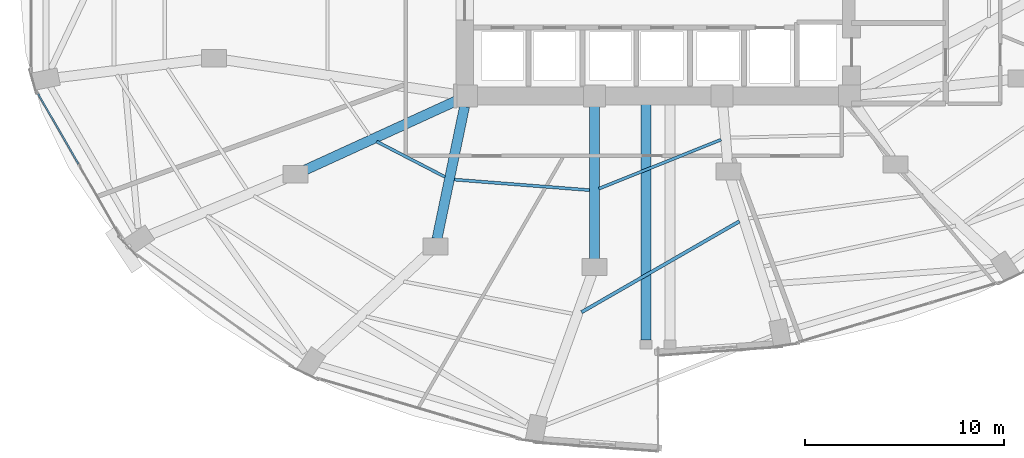
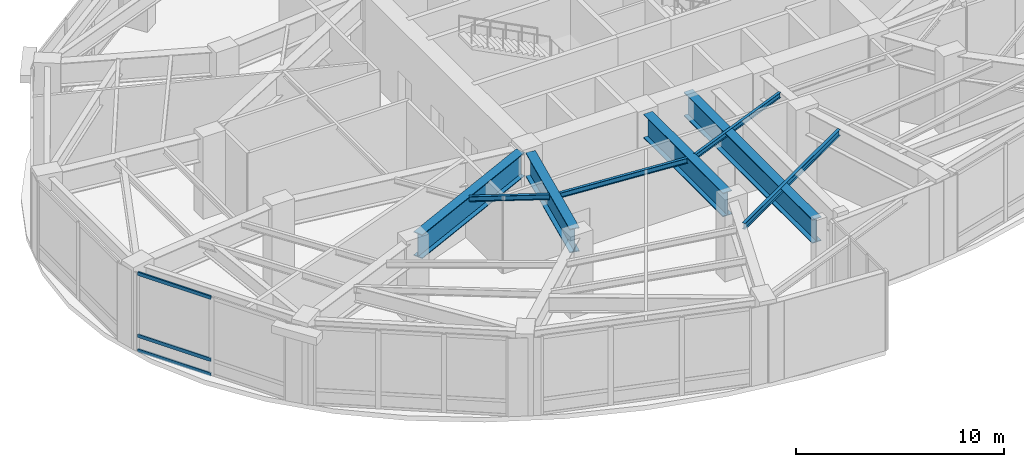
# One storey, part 5 of 24: 8 beams, 3 members, 1 element without a shape of its own.
"""IFC4 building model written with IfcOpenShell, lengths in metres."""

import ifcopenshell
import ifcopenshell.guid

model = None  # the IFC model being written
_history = None  # IfcOwnerHistory: only IFC2X3 demands one
_inside = {}  # id of a spatial element -> (the spatial element, [elements in it])
_under = {}  # id of a project, library or spatial element -> (it, [spatial elements below it])
_declared = {}  # id of a project -> (the project, [libraries it declares])
_typed = {}  # id of a type object -> (the type object, [elements of that type])
_made_of = {}  # id of a material, layer set ... -> (it, [elements and type objects made of it])


def new_model(schema):
    """Start an empty IFC model of exactly this schema.

    Asked for "IFC4X3", IfcOpenShell would pick the latest addendum, in which some entities
    have other attributes; the version numbers below select the first issue.
    IFC2X3 requires an IfcOwnerHistory on every rooted entity: one is made here for all.
    """
    global model, _history
    if schema == "IFC4X3":
        model = ifcopenshell.file(schema_version=(4, 3, 0, 0))
    else:
        model = ifcopenshell.file(schema=schema)
    _inside.clear()
    _under.clear()
    _declared.clear()
    _typed.clear()
    _made_of.clear()
    _history = None
    if model.schema == "IFC2X3":
        org = make("IfcOrganization", Name="unknown")
        user = make(
            "IfcPersonAndOrganization",
            ThePerson=make("IfcPerson", FamilyName="unknown"),
            TheOrganization=org,
        )
        app = make(
            "IfcApplication",
            ApplicationDeveloper=org,
            Version="unknown",
            ApplicationFullName="unknown",
            ApplicationIdentifier="unknown",
        )
        _history = make(
            "IfcOwnerHistory",
            OwningUser=user,
            OwningApplication=app,
            ChangeAction="ADDED",
            CreationDate=0,
        )
    return model


def make(cls, **values):
    """One entity of the class cls with the attributes given. An attribute that is None is left unset."""
    return model.create_entity(
        cls, **{name: value for name, value in values.items() if value is not None}
    )


def rooted(cls, **values):
    """An entity with a GlobalId (a new one), such as an element, a storey or a relation."""
    return make(cls, GlobalId=ifcopenshell.guid.new(), OwnerHistory=_history, **values)


def si_unit(unit_type, name, prefix=None):
    """IfcSIUnit, for example si_unit("LENGTHUNIT", "METRE", prefix="MILLI")."""
    return make("IfcSIUnit", UnitType=unit_type, Prefix=prefix, Name=name)


def assignment(units):
    """IfcUnitAssignment: the units of a project."""
    return None if units is None else make("IfcUnitAssignment", Units=units)


def point(xyz):
    """IfcCartesianPoint."""
    return None if xyz is None else make("IfcCartesianPoint", Coordinates=xyz)


def direction(xyz):
    """IfcDirection."""
    return None if xyz is None else make("IfcDirection", DirectionRatios=xyz)


def frame(location, z_axis=None, x_axis=None):
    """IfcAxis2Placement3D, a coordinate frame: its origin and axes. An axis left out is left unset."""
    return make(
        "IfcAxis2Placement3D",
        Location=point(location),
        Axis=direction(z_axis),
        RefDirection=direction(x_axis),
    )


def frame_2d(location, x_axis=None):
    """IfcAxis2Placement2D, a coordinate frame in the plane: its origin and x axis."""
    return make(
        "IfcAxis2Placement2D", Location=point(location), RefDirection=direction(x_axis)
    )


def origin():
    """The frame at (0, 0, 0) with its axes left unset."""
    return frame((0.0, 0.0, 0.0))


def origin_2d():
    """The frame at (0, 0) in the plane with its x axis left unset."""
    return frame_2d((0.0, 0.0))


def place(relative_to, where):
    """IfcLocalPlacement: puts the frame where relative to a parent placement (None: the world)."""
    return make(
        "IfcLocalPlacement", PlacementRelTo=relative_to, RelativePlacement=where
    )


def context(
    kind, dimensions, precision=None, world=None, true_north=None, identifier=None
):
    """IfcGeometricRepresentationContext, for example the 3D "Model" context."""
    return make(
        "IfcGeometricRepresentationContext",
        ContextIdentifier=identifier,
        ContextType=kind,
        CoordinateSpaceDimension=dimensions,
        Precision=precision,
        WorldCoordinateSystem=world,
        TrueNorth=true_north,
    )


def subcontext(parent, identifier, kind, view, scale=None):
    """IfcGeometricRepresentationSubContext, for example "Body" below "Model"."""
    return make(
        "IfcGeometricRepresentationSubContext",
        ContextIdentifier=identifier,
        ContextType=kind,
        ParentContext=parent,
        TargetScale=scale,
        TargetView=view,
    )


def project(units=None, contexts=None):
    """IfcProject with its units and contexts."""
    return rooted(
        "IfcProject",
        Name="project",
        RepresentationContexts=contexts,
        UnitsInContext=assignment(units),
    )


def spatial(cls, under=None, at=None, **own):
    """A site, building, storey or space (cls), placed at a placement, below another one or the project."""
    s = rooted(cls, ObjectPlacement=at, **own)
    if under is not None:
        _under.setdefault(under.id(), (under, []))[1].append(s)
    return s


def profile(cls, at=None, kind="AREA", **sizes):
    """A parametric profile (cls). Its sizes go by their IFC names, for example OverallWidth=200.0."""
    return make(cls, ProfileType=kind, Position=at, **sizes)


def hollow_rectangle(**sizes):
    """IfcRectangleHollowProfileDef."""
    return profile("IfcRectangleHollowProfileDef", **sizes)


def i_section(**sizes):
    """IfcIShapeProfileDef."""
    return profile("IfcIShapeProfileDef", **sizes)


def extrude(swept, where, along, depth):
    """IfcExtrudedAreaSolid: the profile swept, set in the frame where, extruded along a direction by depth."""
    return make(
        "IfcExtrudedAreaSolid",
        SweptArea=swept,
        Position=where,
        ExtrudedDirection=direction(along),
        Depth=depth,
    )


def shape(context_of_items, identifier, shape_type, items):
    """IfcShapeRepresentation: the items that make up one representation, for example the "Body"."""
    return make(
        "IfcShapeRepresentation",
        ContextOfItems=context_of_items,
        RepresentationIdentifier=identifier,
        RepresentationType=shape_type,
        Items=items,
    )


def material(Name=None, Category=None):
    """IfcMaterial."""
    return make("IfcMaterial", Name=Name, Category=Category)


def layer(
    of_material, thickness, ventilated=None, Name=None, Category=None, Priority=None
):
    """IfcMaterialLayer: one layer of a wall or slab, of a material (None: an air gap)."""
    return make(
        "IfcMaterialLayer",
        Material=of_material,
        LayerThickness=thickness,
        IsVentilated=ventilated,
        Name=Name,
        Category=Category,
        Priority=Priority,
    )


def layer_set(layers, Name=None):
    """IfcMaterialLayerSet."""
    return make("IfcMaterialLayerSet", MaterialLayers=layers, LayerSetName=Name)


def material_profile(
    of_material, cross_section, Name=None, Category=None, Priority=None
):
    """IfcMaterialProfile: a cross section and its material."""
    return make(
        "IfcMaterialProfile",
        Name=Name,
        Material=of_material,
        Profile=cross_section,
        Priority=Priority,
        Category=Category,
    )


def profile_set(profiles, Name=None, composite=None):
    """IfcMaterialProfileSet."""
    return make(
        "IfcMaterialProfileSet",
        Name=Name,
        MaterialProfiles=profiles,
        CompositeProfile=composite,
    )


def made_of(thing, what):
    """Note that an element or type object is made of a material, layer set ...; save() writes the relation."""
    if what is not None:
        _made_of.setdefault(what.id(), (what, []))[1].append(thing)
    return thing


def type_object(cls, material=None, **own):
    """A type object (cls), such as IfcWallType, which elements share."""
    return made_of(rooted(cls, **own), material)


def element(
    cls,
    number,
    at=None,
    inside=None,
    cuts=None,
    type_object=None,
    material=None,
    context=None,
    identifier="Body",
    shape_type=None,
    held_by="IfcProductDefinitionShape",
    body=None,
    shapes=None,
    **own,
):
    """One element of the class cls, such as IfcWall. Its Tag is "e" and its number.

    at: its placement. inside: the storey or other place that contains it. cuts: it is an
    opening in that element (IfcRelVoidsElement). A single representation is given by context,
    identifier, shape_type and body (its items); several are given by shapes. held_by: the class
    of the entity that holds the representations. save() writes the other relations.
    """
    e = rooted(cls, Tag="e%d" % number, ObjectPlacement=at, **own)
    if body is not None:
        shapes = [shape(context, identifier, shape_type, body)]
    if shapes is not None:
        e.Representation = make(held_by, Representations=shapes)
    if inside is not None:
        _inside.setdefault(inside.id(), (inside, []))[1].append(e)
    if cuts is not None:
        rooted(
            "IfcRelVoidsElement", RelatingBuildingElement=cuts, RelatedOpeningElement=e
        )
    if type_object is not None:
        _typed.setdefault(type_object.id(), (type_object, []))[1].append(e)
    return made_of(e, material)


def aggregate(whole, parts):
    """IfcRelAggregates: a whole, such as a stair, and the parts it consists of."""
    return rooted("IfcRelAggregates", RelatingObject=whole, RelatedObjects=parts)


def save(model, path):
    """Write the relations noted so far, then the file.

    IfcRelAggregates (storeys below a building ...), IfcRelContainedInSpatialStructure (elements
    in a storey), IfcRelDefinesByType, IfcRelAssociatesMaterial and IfcRelDeclares: one each for
    every whole, place, type object, material and project.
    """
    for whole, parts in _under.values():
        aggregate(whole, parts)
    for where, things in _inside.values():
        rooted(
            "IfcRelContainedInSpatialStructure",
            RelatedElements=things,
            RelatingStructure=where,
        )
    for kind, things in _typed.values():
        rooted("IfcRelDefinesByType", RelatedObjects=things, RelatingType=kind)
    for what, things in _made_of.values():
        rooted("IfcRelAssociatesMaterial", RelatedObjects=things, RelatingMaterial=what)
    for by, libraries in _declared.values():
        rooted("IfcRelDeclares", RelatingContext=by, RelatedDefinitions=libraries)
    model.write(path)


model = new_model("IFC4")

# Units and contexts
model_context = context("Model", 3, precision=1e-05, world=origin(), true_north=direction((0.0, 1.0)))
body_context = subcontext(model_context, "Body", "Model", "MODEL_VIEW")
ifc_project = project(units=[si_unit("LENGTHUNIT", "METRE"), si_unit("AREAUNIT", "SQUARE_METRE"), si_unit("VOLUMEUNIT", "CUBIC_METRE"), si_unit("PLANEANGLEUNIT", "RADIAN"), si_unit("MASSUNIT", "GRAM", prefix="KILO")], contexts=[model_context])

# Site, building, storey
site_placement = place(None, origin())
site = spatial("IfcSite", under=ifc_project, at=site_placement, CompositionType="ELEMENT")
building_placement = place(site_placement, origin())
building = spatial("IfcBuilding", under=site, at=building_placement, Name="Lazwardi Medical Tower", CompositionType="ELEMENT")
storey_placement = place(building_placement, frame((0.0, 0.0, 20.39990234375)))
storey = spatial("IfcBuildingStorey", under=building, at=storey_placement, Name="L04", CompositionType="ELEMENT", Elevation=20.39990234375)

# Beams
ifc_material_1 = material(Name="Steel S355", Category="steel")
ifc_material_profile_1 = material_profile(ifc_material_1, i_section(OverallWidth=0.169921875, OverallDepth=0.360107421875, WebThickness=0.008056640625, FlangeThickness=0.0126953125, at=origin_2d()), Name="IPE 360")
ifc_profile_set_1 = profile_set([ifc_material_profile_1], Name="Steel S355")
beam_type_1 = type_object("IfcBeamType", Name="BM-SJ-02", PredefinedType="JOIST", material=ifc_profile_set_1)
beam_1_placement = place(storey_placement, frame((32.15625, 9.56201171875, 4.400146484375), z_axis=(0.866728598339, 0.49878004854, 0.0), x_axis=(-0.49878004854, 0.866728598339, 0.0)))
element("IfcBeam", 1, at=beam_1_placement, inside=storey, type_object=beam_type_1, Name="Secondary joist SJ-02 RO2 B16 L04", PredefinedType="JOIST", context=body_context, shape_type="SweptSolid", body=[
    extrude(i_section(OverallWidth=0.169921875, OverallDepth=0.360107421875, WebThickness=0.008056640625, FlangeThickness=0.0126953125, at=origin_2d()), origin(), (0.0, 0.0, 1.0), 9.130615234375),
])
ifc_material_profile_2 = material_profile(ifc_material_1, i_section(OverallWidth=0.14990234375, OverallDepth=0.300048828125, WebThickness=0.007080078125, FlangeThickness=0.0107421875, at=origin_2d()), Name="IPE 300")
ifc_profile_set_2 = profile_set([ifc_material_profile_2], Name="Steel S355")
beam_type_2 = type_object("IfcBeamType", Name="BM-SJ-03", PredefinedType="JOIST", material=ifc_profile_set_2)
beam_2_placement = place(storey_placement, frame((21.88134765625, 18.120361328125, 4.43017578125), z_axis=(0.887880651411, -0.460073851517, 0.0), x_axis=(0.460073851517, 0.887880651411, 0.0)))
element("IfcBeam", 2, at=beam_2_placement, inside=storey, type_object=beam_type_2, Name="Secondary joist SJ-03 RI1 B14 L04", PredefinedType="JOIST", context=body_context, shape_type="SweptSolid", body=[
    extrude(i_section(OverallWidth=0.14990234375, OverallDepth=0.300048828125, WebThickness=0.007080078125, FlangeThickness=0.0107421875, at=origin_2d()), origin(), (0.0, 0.0, 1.0), 3.866455078125),
])
beam_3_placement = place(storey_placement, frame((25.77587890625, 16.209716796875, 4.43017578125), z_axis=(0.996983100634, -0.077618921987, 0.0), x_axis=(0.077618921987, 0.996983100634, 0.0)))
element("IfcBeam", 3, at=beam_3_placement, inside=storey, type_object=beam_type_2, Name="Secondary joist SJ-03 RI1 B15 L04", PredefinedType="JOIST", context=body_context, shape_type="SweptSolid", body=[
    extrude(i_section(OverallWidth=0.14990234375, OverallDepth=0.300048828125, WebThickness=0.007080078125, FlangeThickness=0.0107421875, at=origin_2d()), origin(), (0.0, 0.0, 1.0), 6.80029296875),
])
beam_4_placement = place(storey_placement, frame((33.02734375, 15.75439453125, 4.43017578125), z_axis=(0.92804222588, 0.372475001823, 0.0), x_axis=(-0.372475001823, 0.92804222588, 0.0)))
element("IfcBeam", 4, at=beam_4_placement, inside=storey, type_object=beam_type_2, Name="Secondary joist SJ-03 RI1 B16 L04", PredefinedType="JOIST", context=body_context, shape_type="SweptSolid", body=[
    extrude(i_section(OverallWidth=0.14990234375, OverallDepth=0.300048828125, WebThickness=0.007080078125, FlangeThickness=0.0107421875, at=origin_2d()), origin(), (0.0, 0.0, 1.0), 6.597900390625),
])
ifc_material_2 = material(Name="Steel S460", Category="steel")
ifc_material_profile_3 = material_profile(ifc_material_2, i_section(OverallWidth=0.5, OverallDepth=1.39990234375, WebThickness=0.028076171875, FlangeThickness=0.044921875, at=origin_2d()), Name="PG 1400x500")
ifc_profile_set_3 = profile_set([ifc_material_profile_3], Name="Steel S460")
beam_type_3 = type_object("IfcBeamType", Name="BM-TG-01", PredefinedType="BEAM", material=ifc_profile_set_3)
beam_5_placement = place(storey_placement, frame((35.39990234375, 8.159912109375, 3.880126953125), z_axis=(0.0, 1.0, 0.0), x_axis=(-1.0, 0.0, 0.0)))
element("IfcBeam", 5, at=beam_5_placement, inside=storey, type_object=beam_type_3, Name="Transfer girder TG-01 PL3 L04", PredefinedType="BEAM", context=body_context, shape_type="SweptSolid", body=[
    extrude(i_section(OverallWidth=0.5, OverallDepth=1.39990234375, WebThickness=0.028076171875, FlangeThickness=0.044921875, at=origin_2d()), origin(), (0.0, 0.0, 1.0), 12.340087890625),
])
beam_6_placement = place(storey_placement, frame((18.186767578125, 16.642333984375, 3.880126953125), z_axis=(0.909345301738, 0.41604221205, 0.0), x_axis=(-0.41604221205, 0.909345301738, 0.0)))
element("IfcBeam", 6, at=beam_6_placement, inside=storey, type_object=beam_type_3, Name="Transfer girder TG-01 M14B L04", PredefinedType="BEAM", context=body_context, shape_type="SweptSolid", body=[
    extrude(i_section(OverallWidth=0.5, OverallDepth=1.39990234375, WebThickness=0.028076171875, FlangeThickness=0.044921875, at=origin_2d()), origin(), (0.0, 0.0, 1.0), 8.4970703125),
])
beam_7_placement = place(storey_placement, frame((24.910400390625, 13.24462890625, 3.880126953125), z_axis=(0.203817520402, 0.979008895964, 0.0), x_axis=(-0.979008895964, 0.203817520402, 0.0)))
element("IfcBeam", 7, at=beam_7_placement, inside=storey, type_object=beam_type_3, Name="Transfer girder TG-01 M15B L04", PredefinedType="BEAM", context=body_context, shape_type="SweptSolid", body=[
    extrude(i_section(OverallWidth=0.5, OverallDepth=1.39990234375, WebThickness=0.028076171875, FlangeThickness=0.044921875, at=origin_2d()), origin(), (0.0, 0.0, 1.0), 6.773681640625),
])
beam_8_placement = place(storey_placement, frame((32.800048828125, 12.22509765625, 3.880126953125), z_axis=(0.0, 1.0, 0.0), x_axis=(-1.0, 0.0, 0.0)))
element("IfcBeam", 8, at=beam_8_placement, inside=storey, type_object=beam_type_3, Name="Transfer girder TG-01 M16B L04", PredefinedType="BEAM", context=body_context, shape_type="SweptSolid", body=[
    extrude(i_section(OverallWidth=0.5, OverallDepth=1.39990234375, WebThickness=0.028076171875, FlangeThickness=0.044921875, at=origin_2d()), origin(), (0.0, 0.0, 1.0), 7.639892578125),
])

# Curtain wall, members
ifc_material_3 = material(Name="Anodised bronze aluminium and solar control glazing", Category="aluminium")
ifc_layer = layer(ifc_material_3, 0.219970703125)
ifc_layer_set = layer_set([ifc_layer], Name="Anodised bronze aluminium and solar control glazing")
curtain_wall_type = type_object("IfcCurtainWallType", Name="CW-SYS-01", PredefinedType="NOTDEFINED", material=ifc_layer_set)
curtain_wall_placement = place(storey_placement, origin())
curtain_wall = element("IfcCurtainWall", 9, at=curtain_wall_placement, inside=storey, type_object=curtain_wall_type, Name="L04 Unitised bronze curtain wall CW-01", PredefinedType="NOTDEFINED")
ifc_material_4 = material(Name="Anodised bronze aluminium", Category="aluminium")
ifc_material_profile_4 = material_profile(ifc_material_4, hollow_rectangle(XDim=0.0849609375, YDim=0.199951171875, WallThickness=0.00439453125, at=origin_2d()), Name="ALU-TRANSOM 200x85x4.5")
ifc_profile_set_4 = profile_set([ifc_material_profile_4], Name="Anodised bronze aluminium")
member_type = type_object("IfcMemberType", Name="CW-TRN-02", PredefinedType="USERDEFINED", material=ifc_profile_set_4)
member_1_placement = place(storey_placement, frame((4.906982421875, 20.50927734375, 0.04248046875), z_axis=(0.499741574693, -0.866174554304, 0.0), x_axis=(0.866174554304, 0.499741574693, 0.0)))
member_1 = element("IfcMember", 10, at=member_1_placement, type_object=member_type, Name="CW-01 transom 1.1", ObjectType="TRANSOM", PredefinedType="USERDEFINED", context=body_context, shape_type="SweptSolid", body=[
    extrude(hollow_rectangle(XDim=0.0849609375, YDim=0.199951171875, WallThickness=0.00439453125, at=origin_2d()), origin(), (0.0, 0.0, 1.0), 4.052978515625),
])
member_2_placement = place(storey_placement, frame((4.906982421875, 20.50927734375, 0.900146484375), z_axis=(0.499741574693, -0.866174554304, 0.0), x_axis=(0.866174554304, 0.499741574693, 0.0)))
member_2 = element("IfcMember", 11, at=member_2_placement, type_object=member_type, Name="CW-01 transom 1.2", ObjectType="TRANSOM", PredefinedType="USERDEFINED", context=body_context, shape_type="SweptSolid", body=[
    extrude(hollow_rectangle(XDim=0.0849609375, YDim=0.199951171875, WallThickness=0.00439453125, at=origin_2d()), origin(), (0.0, 0.0, 1.0), 4.052978515625),
])
member_3_placement = place(storey_placement, frame((4.906982421875, 20.50927734375, 4.53759765625), z_axis=(0.499741574693, -0.866174554304, 0.0), x_axis=(0.866174554304, 0.499741574693, 0.0)))
member_3 = element("IfcMember", 12, at=member_3_placement, type_object=member_type, Name="CW-01 transom 1.3", ObjectType="TRANSOM", PredefinedType="USERDEFINED", context=body_context, shape_type="SweptSolid", body=[
    extrude(hollow_rectangle(XDim=0.0849609375, YDim=0.199951171875, WallThickness=0.00439453125, at=origin_2d()), origin(), (0.0, 0.0, 1.0), 4.052978515625),
])
aggregate(curtain_wall, [member_1, member_2, member_3])

save(model, "model.ifc")
